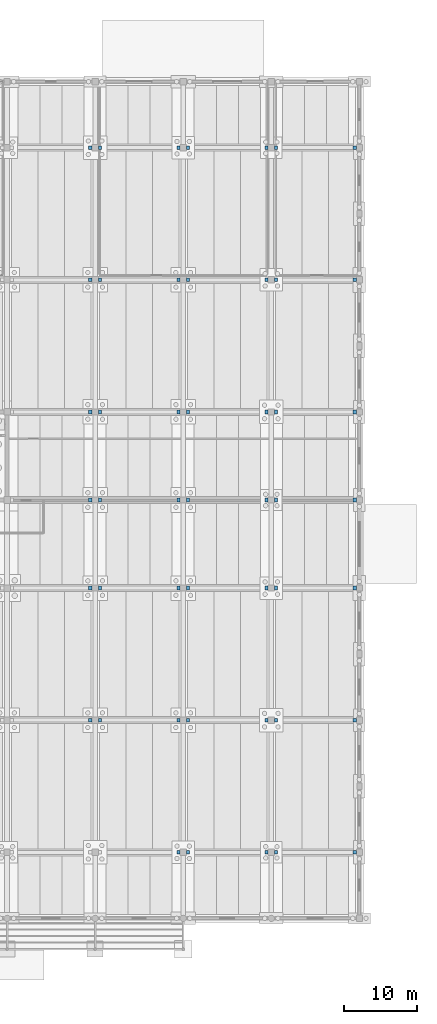
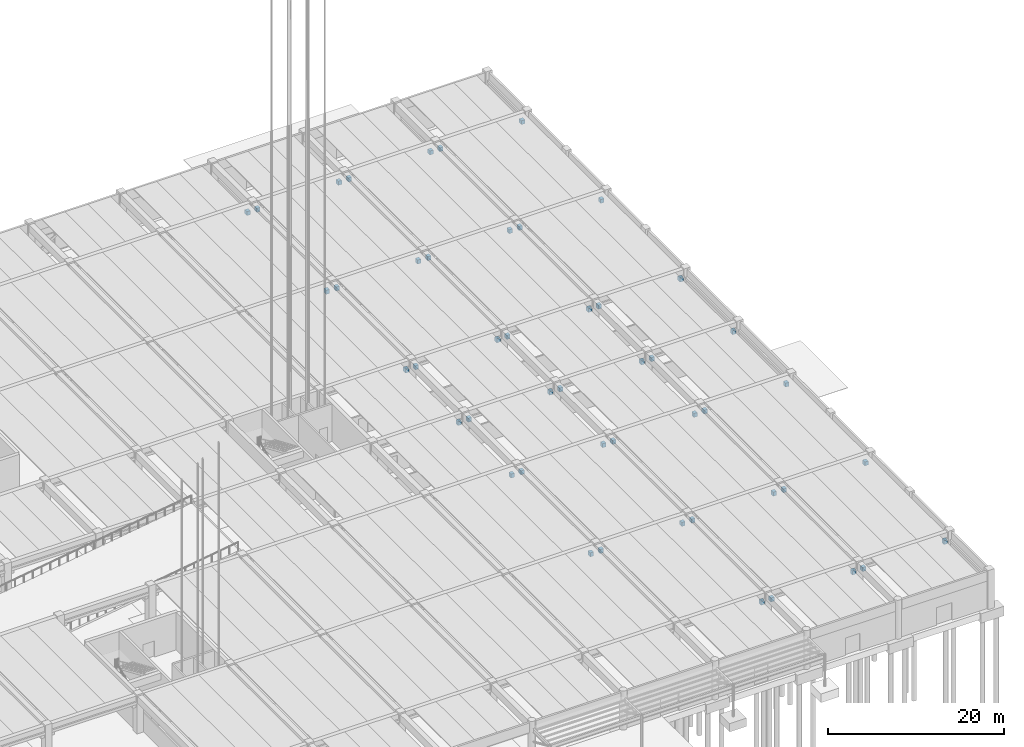
# One storey, part 51 of 59: 47 discrete accessories.
"""IFC4 building model written with IfcOpenShell, lengths in metres."""

import ifcopenshell
import ifcopenshell.guid

model = None  # the IFC model being written
_history = None  # IfcOwnerHistory: only IFC2X3 demands one
_inside = {}  # id of a spatial element -> (the spatial element, [elements in it])
_under = {}  # id of a project, library or spatial element -> (it, [spatial elements below it])
_declared = {}  # id of a project -> (the project, [libraries it declares])
_typed = {}  # id of a type object -> (the type object, [elements of that type])
_made_of = {}  # id of a material, layer set ... -> (it, [elements and type objects made of it])


def new_model(schema):
    """Start an empty IFC model of exactly this schema.

    Asked for "IFC4X3", IfcOpenShell would pick the latest addendum, in which some entities
    have other attributes; the version numbers below select the first issue.
    IFC2X3 requires an IfcOwnerHistory on every rooted entity: one is made here for all.
    """
    global model, _history
    if schema == "IFC4X3":
        model = ifcopenshell.file(schema_version=(4, 3, 0, 0))
    else:
        model = ifcopenshell.file(schema=schema)
    _inside.clear()
    _under.clear()
    _declared.clear()
    _typed.clear()
    _made_of.clear()
    _history = None
    if model.schema == "IFC2X3":
        org = make("IfcOrganization", Name="unknown")
        user = make(
            "IfcPersonAndOrganization",
            ThePerson=make("IfcPerson", FamilyName="unknown"),
            TheOrganization=org,
        )
        app = make(
            "IfcApplication",
            ApplicationDeveloper=org,
            Version="unknown",
            ApplicationFullName="unknown",
            ApplicationIdentifier="unknown",
        )
        _history = make(
            "IfcOwnerHistory",
            OwningUser=user,
            OwningApplication=app,
            ChangeAction="ADDED",
            CreationDate=0,
        )
    return model


def make(cls, **values):
    """One entity of the class cls with the attributes given. An attribute that is None is left unset."""
    return model.create_entity(
        cls, **{name: value for name, value in values.items() if value is not None}
    )


def rooted(cls, **values):
    """An entity with a GlobalId (a new one), such as an element, a storey or a relation."""
    return make(cls, GlobalId=ifcopenshell.guid.new(), OwnerHistory=_history, **values)


def si_unit(unit_type, name, prefix=None):
    """IfcSIUnit, for example si_unit("LENGTHUNIT", "METRE", prefix="MILLI")."""
    return make("IfcSIUnit", UnitType=unit_type, Prefix=prefix, Name=name)


def assignment(units):
    """IfcUnitAssignment: the units of a project."""
    return None if units is None else make("IfcUnitAssignment", Units=units)


def point(xyz):
    """IfcCartesianPoint."""
    return None if xyz is None else make("IfcCartesianPoint", Coordinates=xyz)


def direction(xyz):
    """IfcDirection."""
    return None if xyz is None else make("IfcDirection", DirectionRatios=xyz)


def frame(location, z_axis=None, x_axis=None):
    """IfcAxis2Placement3D, a coordinate frame: its origin and axes. An axis left out is left unset."""
    return make(
        "IfcAxis2Placement3D",
        Location=point(location),
        Axis=direction(z_axis),
        RefDirection=direction(x_axis),
    )


def frame_2d(location, x_axis=None):
    """IfcAxis2Placement2D, a coordinate frame in the plane: its origin and x axis."""
    return make(
        "IfcAxis2Placement2D", Location=point(location), RefDirection=direction(x_axis)
    )


def origin():
    """The frame at (0, 0, 0) with its axes left unset."""
    return frame((0.0, 0.0, 0.0))


def origin_2d():
    """The frame at (0, 0) in the plane with its x axis left unset."""
    return frame_2d((0.0, 0.0))


def place(relative_to, where):
    """IfcLocalPlacement: puts the frame where relative to a parent placement (None: the world)."""
    return make(
        "IfcLocalPlacement", PlacementRelTo=relative_to, RelativePlacement=where
    )


def context(
    kind, dimensions, precision=None, world=None, true_north=None, identifier=None
):
    """IfcGeometricRepresentationContext, for example the 3D "Model" context."""
    return make(
        "IfcGeometricRepresentationContext",
        ContextIdentifier=identifier,
        ContextType=kind,
        CoordinateSpaceDimension=dimensions,
        Precision=precision,
        WorldCoordinateSystem=world,
        TrueNorth=true_north,
    )


def subcontext(parent, identifier, kind, view, scale=None):
    """IfcGeometricRepresentationSubContext, for example "Body" below "Model"."""
    return make(
        "IfcGeometricRepresentationSubContext",
        ContextIdentifier=identifier,
        ContextType=kind,
        ParentContext=parent,
        TargetScale=scale,
        TargetView=view,
    )


def project(units=None, contexts=None):
    """IfcProject with its units and contexts."""
    return rooted(
        "IfcProject",
        Name="project",
        RepresentationContexts=contexts,
        UnitsInContext=assignment(units),
    )


def spatial(cls, under=None, at=None, **own):
    """A site, building, storey or space (cls), placed at a placement, below another one or the project."""
    s = rooted(cls, ObjectPlacement=at, **own)
    if under is not None:
        _under.setdefault(under.id(), (under, []))[1].append(s)
    return s


def profile(cls, at=None, kind="AREA", **sizes):
    """A parametric profile (cls). Its sizes go by their IFC names, for example OverallWidth=200.0."""
    return make(cls, ProfileType=kind, Position=at, **sizes)


def rectangle(**sizes):
    """IfcRectangleProfileDef."""
    return profile("IfcRectangleProfileDef", **sizes)


def extrude(swept, where, along, depth):
    """IfcExtrudedAreaSolid: the profile swept, set in the frame where, extruded along a direction by depth."""
    return make(
        "IfcExtrudedAreaSolid",
        SweptArea=swept,
        Position=where,
        ExtrudedDirection=direction(along),
        Depth=depth,
    )


def shape(context_of_items, identifier, shape_type, items):
    """IfcShapeRepresentation: the items that make up one representation, for example the "Body"."""
    return make(
        "IfcShapeRepresentation",
        ContextOfItems=context_of_items,
        RepresentationIdentifier=identifier,
        RepresentationType=shape_type,
        Items=items,
    )


def material(Name=None, Category=None):
    """IfcMaterial."""
    return make("IfcMaterial", Name=Name, Category=Category)


def made_of(thing, what):
    """Note that an element or type object is made of a material, layer set ...; save() writes the relation."""
    if what is not None:
        _made_of.setdefault(what.id(), (what, []))[1].append(thing)
    return thing


def type_object(cls, material=None, **own):
    """A type object (cls), such as IfcWallType, which elements share."""
    return made_of(rooted(cls, **own), material)


def element(
    cls,
    number,
    at=None,
    inside=None,
    cuts=None,
    type_object=None,
    material=None,
    context=None,
    identifier="Body",
    shape_type=None,
    held_by="IfcProductDefinitionShape",
    body=None,
    shapes=None,
    **own,
):
    """One element of the class cls, such as IfcWall. Its Tag is "e" and its number.

    at: its placement. inside: the storey or other place that contains it. cuts: it is an
    opening in that element (IfcRelVoidsElement). A single representation is given by context,
    identifier, shape_type and body (its items); several are given by shapes. held_by: the class
    of the entity that holds the representations. save() writes the other relations.
    """
    e = rooted(cls, Tag="e%d" % number, ObjectPlacement=at, **own)
    if body is not None:
        shapes = [shape(context, identifier, shape_type, body)]
    if shapes is not None:
        e.Representation = make(held_by, Representations=shapes)
    if inside is not None:
        _inside.setdefault(inside.id(), (inside, []))[1].append(e)
    if cuts is not None:
        rooted(
            "IfcRelVoidsElement", RelatingBuildingElement=cuts, RelatedOpeningElement=e
        )
    if type_object is not None:
        _typed.setdefault(type_object.id(), (type_object, []))[1].append(e)
    return made_of(e, material)


def aggregate(whole, parts):
    """IfcRelAggregates: a whole, such as a stair, and the parts it consists of."""
    return rooted("IfcRelAggregates", RelatingObject=whole, RelatedObjects=parts)


def save(model, path):
    """Write the relations noted so far, then the file.

    IfcRelAggregates (storeys below a building ...), IfcRelContainedInSpatialStructure (elements
    in a storey), IfcRelDefinesByType, IfcRelAssociatesMaterial and IfcRelDeclares: one each for
    every whole, place, type object, material and project.
    """
    for whole, parts in _under.values():
        aggregate(whole, parts)
    for where, things in _inside.values():
        rooted(
            "IfcRelContainedInSpatialStructure",
            RelatedElements=things,
            RelatingStructure=where,
        )
    for kind, things in _typed.values():
        rooted("IfcRelDefinesByType", RelatedObjects=things, RelatingType=kind)
    for what, things in _made_of.values():
        rooted("IfcRelAssociatesMaterial", RelatedObjects=things, RelatingMaterial=what)
    for by, libraries in _declared.values():
        rooted("IfcRelDeclares", RelatingContext=by, RelatedDefinitions=libraries)
    model.write(path)


model = new_model("IFC4")

# Units and contexts
model_context = context("Model", 3, precision=1e-05, world=origin(), true_north=direction((0.0, 1.0)))
body_context = subcontext(model_context, "Body", "Model", "MODEL_VIEW")
ifc_project = project(units=[si_unit("LENGTHUNIT", "METRE"), si_unit("AREAUNIT", "SQUARE_METRE"), si_unit("VOLUMEUNIT", "CUBIC_METRE"), si_unit("PLANEANGLEUNIT", "RADIAN"), si_unit("MASSUNIT", "GRAM", prefix="KILO")], contexts=[model_context])

# Site, building, storey
site_placement = place(None, origin())
site = spatial("IfcSite", under=ifc_project, at=site_placement, CompositionType="ELEMENT")
building_placement = place(site_placement, origin())
building = spatial("IfcBuilding", under=site, at=building_placement, Name="Girod Span Mobility Hub", CompositionType="ELEMENT")
storey_placement = place(building_placement, origin())
storey = spatial("IfcBuildingStorey", under=building, at=storey_placement, Name="L00", CompositionType="ELEMENT", Elevation=0.0)

# Discrete accessories
ifc_material = material(Name="Concrete C40/50", Category="concrete")
discrete_accessory_type = type_object("IfcDiscreteAccessoryType", Name="ACC-CORBEL-550", PredefinedType="BRACKET", material=ifc_material)
for number, where, z_axis, x_axis, name in (
    (1, (143.35205078125, 9.0, 3.60205078125), (0.0, 0.0, 1.0), (1.0, 0.0, 0.0), "Precast Corbel 12/B-R L00"),
    (2, (144.64794921875, 9.0, 3.60205078125), (0.0, 0.0, 1.0), (1.0, 0.0, 0.0), "Precast Corbel 13/B-L L00"),
    (3, (155.35205078125, 9.0, 3.60205078125), (0.0, 0.0, 1.0), (1.0, 0.0, 0.0), "Precast Corbel 13/B-R L00"),
    (4, (156.64794921875, 9.0, 3.60205078125), (0.0, 0.0, 1.0), (1.0, 0.0, 0.0), "Precast Corbel 14/B-L L00"),
    (5, (167.35205078125, 9.0, 3.60205078125), (0.0, 0.0, 1.0), (1.0, 0.0, 0.0), "Precast Corbel 14/B-R L00"),
    (6, (131.35205078125, 27.0, 3.60205078125), (0.0, 0.0, 1.0), (1.0, 0.0, 0.0), "Precast Corbel 11/C-R L00"),
    (7, (132.64794921875, 27.0, 3.60205078125), (0.0, 0.0, 1.0), (1.0, 0.0, 0.0), "Precast Corbel 12/C-L L00"),
    (8, (143.35205078125, 27.0, 3.60205078125), (0.0, 0.0, 1.0), (1.0, 0.0, 0.0), "Precast Corbel 12/C-R L00"),
    (9, (144.64794921875, 27.0, 3.60205078125), (0.0, 0.0, 1.0), (1.0, 0.0, 0.0), "Precast Corbel 13/C-L L00"),
    (10, (155.35205078125, 27.0, 3.60205078125), (0.0, 0.0, 1.0), (1.0, 0.0, 0.0), "Precast Corbel 13/C-R L00"),
    (11, (156.64794921875, 27.0, 3.60205078125), (0.0, 0.0, 1.0), (1.0, 0.0, 0.0), "Precast Corbel 14/C-L L00"),
    (12, (167.35205078125, 27.0, 3.60205078125), (0.0, 0.0, 1.0), (1.0, 0.0, 0.0), "Precast Corbel 14/C-R L00"),
    (13, (131.35205078125, 45.0, 3.60205078125), (0.0, 0.0, 1.0), (1.0, 0.0, 0.0), "Precast Corbel 11/D-R L00"),
    (14, (132.64794921875, 45.0, 3.60205078125), (0.0, 0.0, 1.0), (1.0, 0.0, 0.0), "Precast Corbel 12/D-L L00"),
    (15, (143.35205078125, 45.0, 3.60205078125), (0.0, 0.0, 1.0), (1.0, 0.0, 0.0), "Precast Corbel 12/D-R L00"),
    (16, (144.64794921875, 45.0, 3.60205078125), (0.0, 0.0, 1.0), (1.0, 0.0, 0.0), "Precast Corbel 13/D-L L00"),
    (17, (155.35205078125, 45.0, 3.60205078125), (0.0, 0.0, 1.0), (1.0, 0.0, 0.0), "Precast Corbel 13/D-R L00"),
    (18, (156.64794921875, 45.0, 3.60205078125), (0.0, 0.0, 1.0), (1.0, 0.0, 0.0), "Precast Corbel 14/D-L L00"),
    (19, (167.35205078125, 45.0, 3.60205078125), (0.0, 0.0, 1.0), (1.0, 0.0, 0.0), "Precast Corbel 14/D-R L00"),
    (20, (131.35205078125, 57.0, 3.60205078125), (0.0, 0.0, 1.0), (1.0, 0.0, 0.0), "Precast Corbel 11/E-R L00"),
    (21, (132.64794921875, 57.0, 3.60205078125), (0.0, 0.0, 1.0), (1.0, 0.0, 0.0), "Precast Corbel 12/E-L L00"),
    (22, (143.35205078125, 57.0, 3.60205078125), (0.0, 0.0, 1.0), (1.0, 0.0, 0.0), "Precast Corbel 12/E-R L00"),
    (23, (144.64794921875, 57.0, 3.60205078125), (0.0, 0.0, 1.0), (1.0, 0.0, 0.0), "Precast Corbel 13/E-L L00"),
    (24, (155.35205078125, 57.0, 3.60205078125), (0.0, 0.0, 1.0), (1.0, 0.0, 0.0), "Precast Corbel 13/E-R L00"),
    (25, (156.64794921875, 57.0, 3.60205078125), (0.0, 0.0, 1.0), (1.0, 0.0, 0.0), "Precast Corbel 14/E-L L00"),
    (26, (167.35205078125, 57.0, 3.60205078125), (0.0, 0.0, 1.0), (1.0, 0.0, 0.0), "Precast Corbel 14/E-R L00"),
    (27, (131.35205078125, 69.0, 3.60205078125), (0.0, 0.0, 1.0), (1.0, 0.0, 0.0), "Precast Corbel 11/F-R L00"),
    (28, (132.64794921875, 69.0, 3.60205078125), (0.0, 0.0, 1.0), (1.0, 0.0, 0.0), "Precast Corbel 12/F-L L00"),
    (29, (143.35205078125, 69.0, 3.60205078125), (0.0, 0.0, 1.0), (1.0, 0.0, 0.0), "Precast Corbel 12/F-R L00"),
    (30, (144.64794921875, 69.0, 3.60205078125), (0.0, 0.0, 1.0), (1.0, 0.0, 0.0), "Precast Corbel 13/F-L L00"),
    (31, (155.35205078125, 69.0, 3.60205078125), (0.0, 0.0, 1.0), (1.0, 0.0, 0.0), "Precast Corbel 13/F-R L00"),
    (32, (156.64794921875, 69.0, 3.60205078125), (0.0, 0.0, 1.0), (1.0, 0.0, 0.0), "Precast Corbel 14/F-L L00"),
    (33, (167.35205078125, 69.0, 3.60205078125), (0.0, 0.0, 1.0), (1.0, 0.0, 0.0), "Precast Corbel 14/F-R L00"),
    (34, (131.35205078125, 87.0, 3.60205078125), (0.0, 0.0, 1.0), (1.0, 0.0, 0.0), "Precast Corbel 11/G-R L00"),
    (35, (132.64794921875, 87.0, 3.60205078125), (0.0, 0.0, 1.0), (1.0, 0.0, 0.0), "Precast Corbel 12/G-L L00"),
    (36, (143.35205078125, 87.0, 3.60205078125), (0.0, 0.0, 1.0), (1.0, 0.0, 0.0), "Precast Corbel 12/G-R L00"),
    (37, (144.64794921875, 87.0, 3.60205078125), (0.0, 0.0, 1.0), (1.0, 0.0, 0.0), "Precast Corbel 13/G-L L00"),
    (38, (155.35205078125, 87.0, 3.60205078125), (0.0, 0.0, 1.0), (1.0, 0.0, 0.0), "Precast Corbel 13/G-R L00"),
    (39, (156.64794921875, 87.0, 3.60205078125), (0.0, 0.0, 1.0), (1.0, 0.0, 0.0), "Precast Corbel 14/G-L L00"),
    (40, (167.35205078125, 87.0, 3.60205078125), (0.0, 0.0, 1.0), (1.0, 0.0, 0.0), "Precast Corbel 14/G-R L00"),
    (41, (131.35205078125, 105.0, 3.60205078125), (0.0, 0.0, 1.0), (1.0, 0.0, 0.0), "Precast Corbel 11/H-R L00"),
    (42, (132.64794921875, 105.0, 3.60205078125), (0.0, 0.0, 1.0), (1.0, 0.0, 0.0), "Precast Corbel 12/H-L L00"),
    (43, (143.35205078125, 105.0, 3.60205078125), (0.0, 0.0, 1.0), (1.0, 0.0, 0.0), "Precast Corbel 12/H-R L00"),
    (44, (144.64794921875, 105.0, 3.60205078125), (0.0, 0.0, 1.0), (1.0, 0.0, 0.0), "Precast Corbel 13/H-L L00"),
    (45, (155.35205078125, 105.0, 3.60205078125), (0.0, 0.0, 1.0), (1.0, 0.0, 0.0), "Precast Corbel 13/H-R L00"),
    (46, (156.64794921875, 105.0, 3.60205078125), (0.0, 0.0, 1.0), (1.0, 0.0, 0.0), "Precast Corbel 14/H-L L00"),
    (47, (167.35205078125, 105.0, 3.60205078125), (0.0, 0.0, 1.0), (1.0, 0.0, 0.0), "Precast Corbel 14/H-R L00"),
):
    element("IfcDiscreteAccessory", number, at=place(storey_placement, frame(where, z_axis=z_axis, x_axis=x_axis)), inside=storey, type_object=discrete_accessory_type, Name=name, PredefinedType="BRACKET", context=body_context, shape_type="SweptSolid", body=[
        extrude(rectangle(XDim=0.449951171875, YDim=0.5, at=origin_2d()), origin(), (0.0, 0.0, 1.0), 0.550048828125),
    ])

save(model, "model.ifc")
